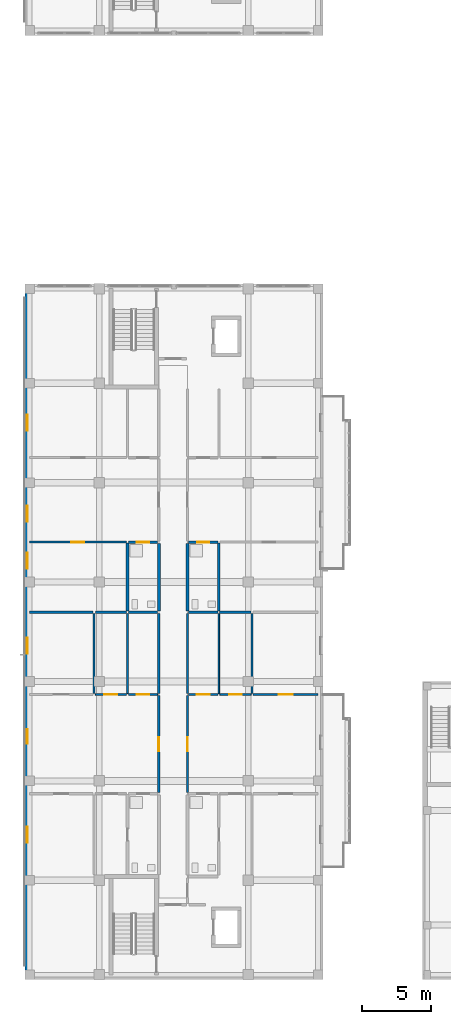
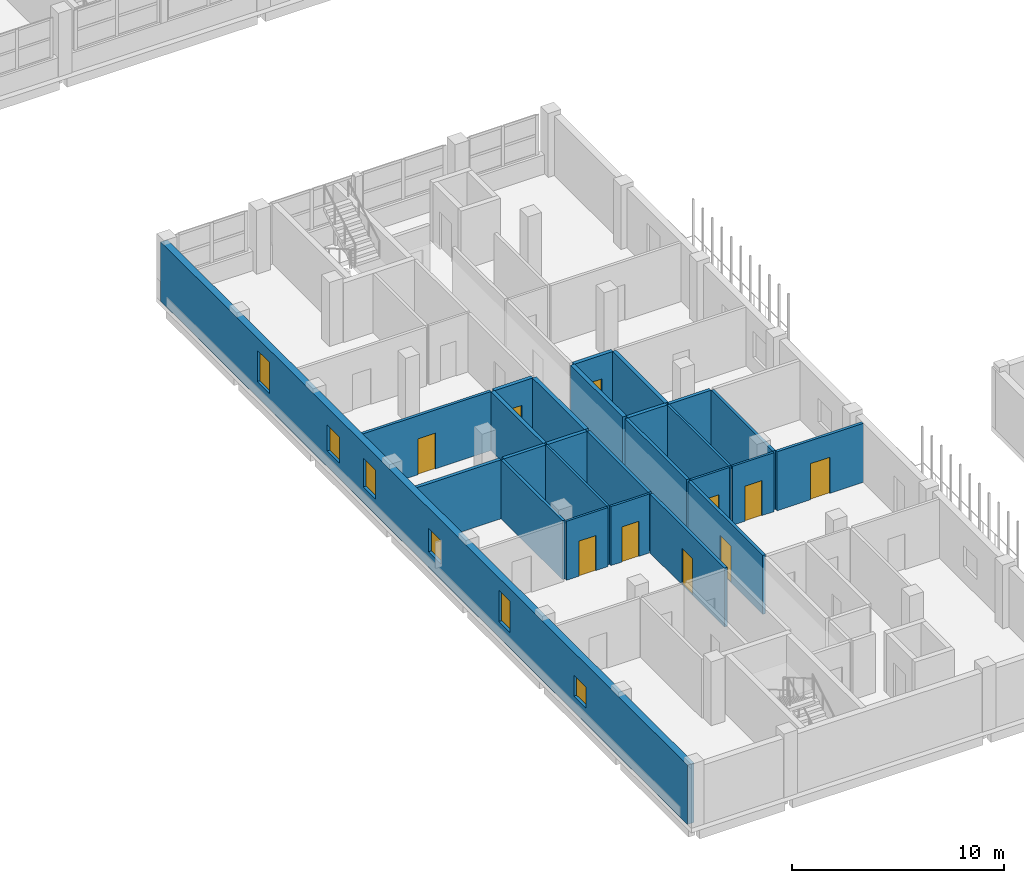
# One storey, part 35 of 73: 26 walls, 10 doors, 6 windows, 16 openings.
"""IFC4 building model written with IfcOpenShell, lengths in metres."""

from ifc_helpers import new_model, si_unit, derived_unit, direction, frame, frame_2d, origin, place, context, subcontext, project, spatial, rectangle, extrude, material, layer, layer_set, type_object, element, fill, save


model = new_model("IFC4")

# Units and contexts
model_context = context("Model", 3, precision=1e-05, world=origin(), true_north=direction((0.0, 1.0)))
body_context = subcontext(model_context, "Body", "Model", "MODEL_VIEW")
ifc_project = project(units=[si_unit("LENGTHUNIT", "METRE"), si_unit("AREAUNIT", "SQUARE_METRE"), si_unit("VOLUMEUNIT", "CUBIC_METRE"), si_unit("PLANEANGLEUNIT", "RADIAN"), si_unit("MASSUNIT", "GRAM", prefix="KILO"), derived_unit("THERMALTRANSMITTANCEUNIT", [(si_unit("MASSUNIT", "GRAM", prefix="KILO"), 1), (si_unit("TIMEUNIT", "SECOND"), -3), (si_unit("THERMODYNAMICTEMPERATUREUNIT", "KELVIN"), -1)])], contexts=[model_context])

# Site, building, storey
site_placement = place(None, origin())
site = spatial("IfcSite", under=ifc_project, at=site_placement, CompositionType="ELEMENT")
building_placement = place(site_placement, origin())
building = spatial("IfcBuilding", under=site, at=building_placement, Name="Ochrekiln Boulevard Commons", CompositionType="ELEMENT")
storey_placement = place(building_placement, frame((0.0, 0.0, 4.89990234375)))
storey = spatial("IfcBuildingStorey", under=building, at=storey_placement, Name="L01", CompositionType="ELEMENT", Elevation=4.89990234375)

# Wall, openings, windows
ifc_material_1 = material(Name="Iron-spot brown clinker brick masonry ASTM C216 Grade SW", Category="masonry")
ifc_layer_1 = layer(ifc_material_1, 0.364990234375)
ifc_layer_set_1 = layer_set([ifc_layer_1], Name="Iron-spot brown clinker brick masonry ASTM C216 Grade SW")
wall_type_1 = type_object("IfcWallType", Name="WL-EXT-IRON-365", PredefinedType="SOLIDWALL", material=ifc_layer_set_1)
wall_1_placement = place(storey_placement, frame((0.1826171875, 0.364990234375, 0.0), z_axis=(0.0, 0.0, 1.0), x_axis=(0.0, 1.0, 0.0)))
wall_1 = element("IfcWall", 1, at=wall_1_placement, inside=storey, type_object=wall_type_1, Name="Block D L01 W Exterior Wall", PredefinedType="SOLIDWALL", context=body_context, shape_type="SweptSolid", body=[
    extrude(rectangle(XDim=49.669921875, YDim=0.364990234375, at=frame_2d((24.8349609375, 0.0))), origin(), (0.0, 0.0, 1.0), 3.4150390625),
])
opening_1_placement = place(wall_1_placement, frame((16.73193359375, 0.0, 0.89990234375)))
opening_1 = element("IfcOpeningElement", 2, at=opening_1_placement, cuts=wall_1, Name="Opening W-10", PredefinedType="OPENING", context=body_context, shape_type="SweptSolid", body=[
    extrude(rectangle(XDim=1.050048828125, YDim=1.800048828125, at=frame_2d((0.52490234375, 0.89990234375))), frame((0.0, 0.1923828125, 0.0), z_axis=(0.0, -1.0, 0.0), x_axis=(1.0, 0.0, 0.0)), (0.0, 0.0, 1.0), 0.385009765625),
])
opening_2_placement = place(wall_1_placement, frame((9.552978515625, 0.0, 0.89990234375)))
opening_2 = element("IfcOpeningElement", 3, at=opening_2_placement, cuts=wall_1, Name="Opening W-11", PredefinedType="OPENING", context=body_context, shape_type="SweptSolid", body=[
    extrude(rectangle(XDim=1.14990234375, YDim=1.199951171875, at=frame_2d((0.574951171875, 0.60009765625))), frame((0.0, 0.1923828125, 0.0), z_axis=(0.0, -1.0, 0.0), x_axis=(1.0, 0.0, 0.0)), (0.0, 0.0, 1.0), 0.385009765625),
])
opening_3_placement = place(wall_1_placement, frame((23.25390625, 0.0, 0.89990234375)))
opening_3 = element("IfcOpeningElement", 4, at=opening_3_placement, cuts=wall_1, Name="Opening W-12", PredefinedType="OPENING", context=body_context, shape_type="SweptSolid", body=[
    extrude(rectangle(XDim=1.14990234375, YDim=1.35009765625, at=frame_2d((0.574951171875, 0.675048828125))), frame((0.0, 0.1923828125, 0.0), z_axis=(0.0, -1.0, 0.0), x_axis=(1.0, 0.0, 0.0)), (0.0, 0.0, 1.0), 0.385009765625),
])
opening_4_placement = place(wall_1_placement, frame((32.81005859375, 0.0, 0.89990234375)))
opening_4 = element("IfcOpeningElement", 5, at=opening_4_placement, cuts=wall_1, Name="Opening W-13", PredefinedType="OPENING", context=body_context, shape_type="SweptSolid", body=[
    extrude(rectangle(XDim=1.14990234375, YDim=1.5, at=frame_2d((0.574951171875, 0.75))), frame((0.0, 0.1923828125, 0.0), z_axis=(0.0, -1.0, 0.0), x_axis=(1.0, 0.0, 0.0)), (0.0, 0.0, 1.0), 0.385009765625),
])
opening_5_placement = place(wall_1_placement, frame((29.39990234375, 0.0, 0.89990234375)))
opening_5 = element("IfcOpeningElement", 6, at=opening_5_placement, cuts=wall_1, Name="Opening W-14", PredefinedType="OPENING", context=body_context, shape_type="SweptSolid", body=[
    extrude(rectangle(XDim=1.14990234375, YDim=1.64990234375, at=frame_2d((0.574951171875, 0.824951171875))), frame((0.0, 0.1923828125, 0.0), z_axis=(0.0, -1.0, 0.0), x_axis=(1.0, 0.0, 0.0)), (0.0, 0.0, 1.0), 0.385009765625),
])
opening_6_placement = place(wall_1_placement, frame((39.404052734375, 0.0, 0.89990234375)))
opening_6 = element("IfcOpeningElement", 7, at=opening_6_placement, cuts=wall_1, Name="Opening W-15", PredefinedType="OPENING", context=body_context, shape_type="SweptSolid", body=[
    extrude(rectangle(XDim=1.14990234375, YDim=1.800048828125, at=frame_2d((0.574951171875, 0.89990234375))), frame((0.0, 0.1923828125, 0.0), z_axis=(0.0, -1.0, 0.0), x_axis=(1.0, 0.0, 0.0)), (0.0, 0.0, 1.0), 0.385009765625),
])
ifc_material_2 = material(Name="Thermally broken aluminium-clad oak frame", Category="aluminium")
window_type_1 = type_object("IfcWindowType", Name="WIN-EXT-10", PartitioningType="SINGLE_PANEL", PredefinedType="WINDOW", material=ifc_material_2)
window_1_placement = place(opening_1_placement, origin())
window_1 = element("IfcWindow", 8, at=window_1_placement, inside=storey, type_object=window_type_1, Name="Block D L01 Punched Masonry Window W-10", OverallHeight=1.800048828125, OverallWidth=1.050048828125, PartitioningType="SINGLE_PANEL", PredefinedType="WINDOW", context=body_context, shape_type="SweptSolid", body=[
    extrude(rectangle(XDim=1.050048828125, YDim=1.800048828125, at=frame_2d((0.52490234375, 0.89990234375))), frame((0.0, 0.030029296875, 0.0), z_axis=(0.0, -1.0, 0.0), x_axis=(1.0, 0.0, 0.0)), (0.0, 0.0, 1.0), 0.06005859375),
])
fill(opening_1, window_1)
window_type_2 = type_object("IfcWindowType", Name="WIN-EXT-11", PartitioningType="SINGLE_PANEL", PredefinedType="WINDOW", material=ifc_material_2)
window_2_placement = place(opening_2_placement, origin())
window_2 = element("IfcWindow", 9, at=window_2_placement, inside=storey, type_object=window_type_2, Name="Block D L01 Punched Masonry Window W-11", OverallHeight=1.199951171875, OverallWidth=1.14990234375, PartitioningType="SINGLE_PANEL", PredefinedType="WINDOW", context=body_context, shape_type="SweptSolid", body=[
    extrude(rectangle(XDim=1.14990234375, YDim=1.199951171875, at=frame_2d((0.574951171875, 0.60009765625))), frame((0.0, 0.030029296875, 0.0), z_axis=(0.0, -1.0, 0.0), x_axis=(1.0, 0.0, 0.0)), (0.0, 0.0, 1.0), 0.06005859375),
])
fill(opening_2, window_2)
window_type_3 = type_object("IfcWindowType", Name="WIN-EXT-12", PartitioningType="SINGLE_PANEL", PredefinedType="WINDOW", material=ifc_material_2)
window_3_placement = place(opening_3_placement, origin())
window_3 = element("IfcWindow", 10, at=window_3_placement, inside=storey, type_object=window_type_3, Name="Block D L01 Punched Masonry Window W-12", OverallHeight=1.35009765625, OverallWidth=1.14990234375, PartitioningType="SINGLE_PANEL", PredefinedType="WINDOW", context=body_context, shape_type="SweptSolid", body=[
    extrude(rectangle(XDim=1.14990234375, YDim=1.35009765625, at=frame_2d((0.574951171875, 0.675048828125))), frame((0.0, 0.030029296875, 0.0), z_axis=(0.0, -1.0, 0.0), x_axis=(1.0, 0.0, 0.0)), (0.0, 0.0, 1.0), 0.06005859375),
])
fill(opening_3, window_3)
window_type_4 = type_object("IfcWindowType", Name="WIN-EXT-13", PartitioningType="SINGLE_PANEL", PredefinedType="WINDOW", material=ifc_material_2)
window_4_placement = place(opening_4_placement, origin())
window_4 = element("IfcWindow", 11, at=window_4_placement, inside=storey, type_object=window_type_4, Name="Block D L01 Punched Masonry Window W-13", OverallHeight=1.5, OverallWidth=1.14990234375, PartitioningType="SINGLE_PANEL", PredefinedType="WINDOW", context=body_context, shape_type="SweptSolid", body=[
    extrude(rectangle(XDim=1.14990234375, YDim=1.5, at=frame_2d((0.574951171875, 0.75))), frame((0.0, 0.030029296875, 0.0), z_axis=(0.0, -1.0, 0.0), x_axis=(1.0, 0.0, 0.0)), (0.0, 0.0, 1.0), 0.06005859375),
])
fill(opening_4, window_4)
window_type_5 = type_object("IfcWindowType", Name="WIN-EXT-14", PartitioningType="SINGLE_PANEL", PredefinedType="WINDOW", material=ifc_material_2)
window_5_placement = place(opening_5_placement, origin())
window_5 = element("IfcWindow", 12, at=window_5_placement, inside=storey, type_object=window_type_5, Name="Block D L01 Punched Masonry Window W-14", OverallHeight=1.64990234375, OverallWidth=1.14990234375, PartitioningType="SINGLE_PANEL", PredefinedType="WINDOW", context=body_context, shape_type="SweptSolid", body=[
    extrude(rectangle(XDim=1.14990234375, YDim=1.64990234375, at=frame_2d((0.574951171875, 0.824951171875))), frame((0.0, 0.030029296875, 0.0), z_axis=(0.0, -1.0, 0.0), x_axis=(1.0, 0.0, 0.0)), (0.0, 0.0, 1.0), 0.06005859375),
])
fill(opening_5, window_5)
window_type_6 = type_object("IfcWindowType", Name="WIN-EXT-15", PartitioningType="SINGLE_PANEL", PredefinedType="WINDOW", material=ifc_material_2)
window_6_placement = place(opening_6_placement, origin())
window_6 = element("IfcWindow", 13, at=window_6_placement, inside=storey, type_object=window_type_6, Name="Block D L01 Punched Masonry Window W-15", OverallHeight=1.800048828125, OverallWidth=1.14990234375, PartitioningType="SINGLE_PANEL", PredefinedType="WINDOW", context=body_context, shape_type="SweptSolid", body=[
    extrude(rectangle(XDim=1.14990234375, YDim=1.800048828125, at=frame_2d((0.574951171875, 0.89990234375))), frame((0.0, 0.030029296875, 0.0), z_axis=(0.0, -1.0, 0.0), x_axis=(1.0, 0.0, 0.0)), (0.0, 0.0, 1.0), 0.06005859375),
])
fill(opening_6, window_6)

# Wall
ifc_material_3 = material(Name="Moisture-resistant cementitious tile backer wall")
ifc_layer_2 = layer(ifc_material_3, 0.199951171875)
ifc_layer_set_2 = layer_set([ifc_layer_2], Name="Moisture-resistant cementitious tile backer wall")
wall_type_2 = type_object("IfcWallType", Name="WL-PLM-200", PredefinedType="PLUMBINGWALL", material=ifc_layer_set_2)
wall_2_placement = place(storey_placement, frame((7.5, 26.60791015625, 0.0), z_axis=(0.0, 0.0, 1.0), x_axis=(1.0, 0.0, 0.0)))
element("IfcWall", 14, at=wall_2_placement, inside=storey, type_object=wall_type_2, Name="L01 Interior Wall W-PW200", PredefinedType="PLUMBINGWALL", context=body_context, shape_type="SweptSolid", body=[
    extrude(rectangle(XDim=2.1279296875, YDim=0.199951171875, at=frame_2d((1.06396484375, 0.0))), origin(), (0.0, 0.0, 1.0), 3.39501953125),
])

# Wall, opening, door
wall_3_placement = place(storey_placement, frame((7.52001953125, 31.68994140625, 0.0), z_axis=(0.0, 0.0, 1.0), x_axis=(1.0, 0.0, 0.0)))
wall_3 = element("IfcWall", 15, at=wall_3_placement, inside=storey, type_object=wall_type_2, Name="L01 Interior Wall W-PW200", PredefinedType="PLUMBINGWALL", context=body_context, shape_type="SweptSolid", body=[
    extrude(rectangle(XDim=2.10791015625, YDim=0.199951171875, at=frame_2d((1.053955078125, 0.0))), origin(), (0.0, 0.0, 1.0), 3.39501953125),
])
opening_7_placement = place(wall_3_placement, frame((0.60498046875, 0.0, 0.0)))
opening_7 = element("IfcOpeningElement", 16, at=opening_7_placement, cuts=wall_3, Name="Opening D-L01-255", PredefinedType="OPENING", context=body_context, shape_type="SweptSolid", body=[
    extrude(rectangle(XDim=0.889892578125, YDim=2.030029296875, at=frame_2d((0.44482421875, 1.01513671875))), frame((0.0, 0.10986328125, 0.0), z_axis=(0.0, -1.0, 0.0), x_axis=(1.0, 0.0, 0.0)), (0.0, 0.0, 1.0), 0.219970703125),
])
ifc_material_4 = material(Name="Solid core architectural oak door leaf")
door_type_1 = type_object("IfcDoorType", Name="DR-INT-BTH-089", OperationType="NOTDEFINED", PredefinedType="DOOR", material=ifc_material_4)
door_1_placement = place(opening_7_placement, frame((0.889892578125, 0.0, 0.0), z_axis=(0.0, 0.0, 1.0), x_axis=(-1.0, 0.0, 0.0)))
door_1 = element("IfcDoor", 17, at=door_1_placement, inside=storey, type_object=door_type_1, Name="L01 Interior Door to Apartment Bathroom", OperationType="SINGLE_SWING_LEFT", OverallHeight=2.030029296875, OverallWidth=0.889892578125, PredefinedType="DOOR", context=body_context, shape_type="SweptSolid", body=[
    extrude(rectangle(XDim=0.889892578125, YDim=2.030029296875, at=frame_2d((0.44482421875, 1.01513671875))), frame((0.0, 0.02490234375, 0.0), z_axis=(0.0, -1.0, 0.0), x_axis=(1.0, 0.0, 0.0)), (0.0, 0.0, 1.0), 0.050048828125),
])
fill(opening_7, door_1)

# Walls
wall_4_placement = place(storey_placement, frame((7.43994140625, 26.697998046875, 0.0), z_axis=(0.0, 0.0, 1.0), x_axis=(0.0, 1.0, 0.0)))
element("IfcWall", 18, at=wall_4_placement, inside=storey, type_object=wall_type_2, Name="L01 Interior Wall W-PW200", PredefinedType="PLUMBINGWALL", context=body_context, shape_type="SweptSolid", body=[
    extrude(rectangle(XDim=4.9169921875, YDim=0.199951171875, at=frame_2d((2.45849609375, 0.0))), origin(), (0.0, 0.0, 1.0), 3.39501953125),
])
wall_5_placement = place(storey_placement, frame((11.8720703125, 26.60791015625, 0.0), z_axis=(0.0, 0.0, 1.0), x_axis=(1.0, 0.0, 0.0)))
element("IfcWall", 19, at=wall_5_placement, inside=storey, type_object=wall_type_2, Name="L01 Interior Wall W-PW200", PredefinedType="PLUMBINGWALL", context=body_context, shape_type="SweptSolid", body=[
    extrude(rectangle(XDim=2.1279296875, YDim=0.199951171875, at=frame_2d((1.06396484375, 0.0))), origin(), (0.0, 0.0, 1.0), 3.39501953125),
])

# Wall, opening, door
wall_6_placement = place(storey_placement, frame((11.8720703125, 31.68994140625, 0.0), z_axis=(0.0, 0.0, 1.0), x_axis=(1.0, 0.0, 0.0)))
wall_6 = element("IfcWall", 20, at=wall_6_placement, inside=storey, type_object=wall_type_2, Name="L01 Interior Wall W-PW200", PredefinedType="PLUMBINGWALL", context=body_context, shape_type="SweptSolid", body=[
    extrude(rectangle(XDim=2.10791015625, YDim=0.199951171875, at=frame_2d((1.053955078125, 0.0))), origin(), (0.0, 0.0, 1.0), 3.39501953125),
])
opening_8_placement = place(wall_6_placement, frame((0.613037109375, 0.0, 0.0)))
opening_8 = element("IfcOpeningElement", 21, at=opening_8_placement, cuts=wall_6, Name="Opening D-L01-266", PredefinedType="OPENING", context=body_context, shape_type="SweptSolid", body=[
    extrude(rectangle(XDim=0.889892578125, YDim=2.030029296875, at=frame_2d((0.44482421875, 1.01513671875))), frame((0.0, 0.10986328125, 0.0), z_axis=(0.0, -1.0, 0.0), x_axis=(1.0, 0.0, 0.0)), (0.0, 0.0, 1.0), 0.219970703125),
])
door_2_placement = place(opening_8_placement, frame((0.889892578125, 0.0, 0.0), z_axis=(0.0, 0.0, 1.0), x_axis=(-1.0, 0.0, 0.0)))
door_2 = element("IfcDoor", 22, at=door_2_placement, inside=storey, type_object=door_type_1, Name="L01 Interior Door to Apartment Bathroom", OperationType="SINGLE_SWING_RIGHT", OverallHeight=2.030029296875, OverallWidth=0.889892578125, PredefinedType="DOOR", context=body_context, shape_type="SweptSolid", body=[
    extrude(rectangle(XDim=0.889892578125, YDim=2.030029296875, at=frame_2d((0.44482421875, 1.01513671875))), frame((0.0, 0.02490234375, 0.0), z_axis=(0.0, -1.0, 0.0), x_axis=(1.0, 0.0, 0.0)), (0.0, 0.0, 1.0), 0.050048828125),
])
fill(opening_8, door_2)

# Walls
wall_7_placement = place(storey_placement, frame((14.06005859375, 26.697998046875, 0.0), z_axis=(0.0, 0.0, 1.0), x_axis=(0.0, 1.0, 0.0)))
element("IfcWall", 23, at=wall_7_placement, inside=storey, type_object=wall_type_2, Name="L01 Interior Wall W-PW200", PredefinedType="PLUMBINGWALL", context=body_context, shape_type="SweptSolid", body=[
    extrude(rectangle(XDim=4.9169921875, YDim=0.199951171875, at=frame_2d((2.45849609375, 0.0))), origin(), (0.0, 0.0, 1.0), 3.39501953125),
])
ifc_layer_3 = layer(ifc_material_3, 0.219970703125)
ifc_layer_set_3 = layer_set([ifc_layer_3], Name="Moisture-resistant cementitious tile backer wall")
wall_type_3 = type_object("IfcWallType", Name="WL-PLM-220", PredefinedType="PLUMBINGWALL", material=ifc_layer_set_3)
for number, where, z_axis, x_axis, name in (
    (24, (9.7099609375, 26.697998046875, 0.0), (0.0, 0.0, 1.0), (0.0, 1.0, 0.0), "L01 Interior Wall W-PW220"),
    (25, (11.7900390625, 26.697998046875, 0.0), (0.0, 0.0, 1.0), (0.0, 1.0, 0.0), "L01 Interior Wall W-PW220"),
):
    element("IfcWall", number, at=place(storey_placement, frame(where, z_axis=z_axis, x_axis=x_axis)), inside=storey, type_object=wall_type_3, Name=name, PredefinedType="PLUMBINGWALL", context=body_context, shape_type="SweptSolid", body=[
        extrude(rectangle(XDim=4.912109375, YDim=0.219970703125, at=frame_2d((2.4560546875, 0.0))), origin(), (0.0, 0.0, 1.0), 3.39501953125),
    ])

# Wall, opening, door
ifc_material_5 = material(Name="Fire-rated Type X gypsum board on steel studs", Category="steel")
ifc_layer_4 = layer(ifc_material_5, 0.1650390625)
ifc_layer_set_4 = layer_set([ifc_layer_4], Name="Fire-rated Type X gypsum board on steel studs")
wall_type_4 = type_object("IfcWallType", Name="WL-PT-CORR-165", PredefinedType="PARTITIONING", material=ifc_layer_set_4)
wall_8_placement = place(storey_placement, frame((9.7099609375, 13.544921875, 0.0), z_axis=(0.0, 0.0, 1.0), x_axis=(0.0, 1.0, 0.0)))
wall_8 = element("IfcWall", 26, at=wall_8_placement, inside=storey, type_object=wall_type_4, Name="L01 Interior Wall W-PC165", PredefinedType="PARTITIONING", context=body_context, shape_type="SweptSolid", body=[
    extrude(rectangle(XDim=7.028076171875, YDim=0.1650390625, at=frame_2d((3.51416015625, 0.0))), origin(), (0.0, 0.0, 1.0), 3.39501953125),
])
opening_9_placement = place(wall_8_placement, frame((3.009033203125, 0.0, 0.0)))
opening_9 = element("IfcOpeningElement", 27, at=opening_9_placement, cuts=wall_8, Name="Opening D-L01-244", PredefinedType="OPENING", context=body_context, shape_type="SweptSolid", body=[
    extrude(rectangle(XDim=1.010009765625, YDim=2.110107421875, at=frame_2d((0.5048828125, 1.05517578125))), frame((0.0, 0.092529296875, 0.0), z_axis=(0.0, -1.0, 0.0), x_axis=(1.0, 0.0, 0.0)), (0.0, 0.0, 1.0), 0.18505859375),
])
door_type_2 = type_object("IfcDoorType", Name="DR-INT-APT-101", OperationType="NOTDEFINED", PredefinedType="DOOR", material=ifc_material_4)
door_3_placement = place(opening_9_placement, origin())
door_3 = element("IfcDoor", 28, at=door_3_placement, inside=storey, type_object=door_type_2, Name="L01 Interior Door to Two-Bedroom Apartment Living Room", OperationType="SINGLE_SWING_RIGHT", OverallHeight=2.110107421875, OverallWidth=1.010009765625, PredefinedType="DOOR", context=body_context, shape_type="SweptSolid", body=[
    extrude(rectangle(XDim=1.010009765625, YDim=2.110107421875, at=frame_2d((0.5048828125, 1.05517578125))), frame((0.0, 0.02490234375, 0.0), z_axis=(0.0, -1.0, 0.0), x_axis=(1.0, 0.0, 0.0)), (0.0, 0.0, 1.0), 0.050048828125),
])
fill(opening_9, door_3)

# Wall
wall_9_placement = place(storey_placement, frame((9.7099609375, 20.73291015625, 0.0), z_axis=(0.0, 0.0, 1.0), x_axis=(0.0, 1.0, 0.0)))
element("IfcWall", 29, at=wall_9_placement, inside=storey, type_object=wall_type_4, Name="L01 Interior Wall W-PC165", PredefinedType="PARTITIONING", context=body_context, shape_type="SweptSolid", body=[
    extrude(rectangle(XDim=5.78515625, YDim=0.1650390625, at=frame_2d((2.892578125, 0.0))), origin(), (0.0, 0.0, 1.0), 3.39501953125),
])

# Wall, opening, door
wall_10_placement = place(storey_placement, frame((11.7900390625, 13.544921875, 0.0), z_axis=(0.0, 0.0, 1.0), x_axis=(0.0, 1.0, 0.0)))
wall_10 = element("IfcWall", 30, at=wall_10_placement, inside=storey, type_object=wall_type_4, Name="L01 Interior Wall W-PC165", PredefinedType="PARTITIONING", context=body_context, shape_type="SweptSolid", body=[
    extrude(rectangle(XDim=7.028076171875, YDim=0.1650390625, at=frame_2d((3.51416015625, 0.0))), origin(), (0.0, 0.0, 1.0), 3.39501953125),
])
opening_10_placement = place(wall_10_placement, frame((3.009033203125, 0.0, 0.0)))
opening_10 = element("IfcOpeningElement", 31, at=opening_10_placement, cuts=wall_10, Name="Opening D-L01-246", PredefinedType="OPENING", context=body_context, shape_type="SweptSolid", body=[
    extrude(rectangle(XDim=1.010009765625, YDim=2.110107421875, at=frame_2d((0.5048828125, 1.05517578125))), frame((0.0, 0.092529296875, 0.0), z_axis=(0.0, -1.0, 0.0), x_axis=(1.0, 0.0, 0.0)), (0.0, 0.0, 1.0), 0.18505859375),
])
door_4_placement = place(opening_10_placement, frame((1.010009765625, 0.0, 0.0), z_axis=(0.0, 0.0, 1.0), x_axis=(-1.0, 0.0, 0.0)))
door_4 = element("IfcDoor", 32, at=door_4_placement, inside=storey, type_object=door_type_2, Name="L01 Interior Door to Two-Bedroom Apartment Living Room", OperationType="SINGLE_SWING_RIGHT", OverallHeight=2.110107421875, OverallWidth=1.010009765625, PredefinedType="DOOR", context=body_context, shape_type="SweptSolid", body=[
    extrude(rectangle(XDim=1.010009765625, YDim=2.110107421875, at=frame_2d((0.5048828125, 1.05517578125))), frame((0.0, 0.02490234375, 0.0), z_axis=(0.0, -1.0, 0.0), x_axis=(1.0, 0.0, 0.0)), (0.0, 0.0, 1.0), 0.050048828125),
])
fill(opening_10, door_4)

# Walls
wall_11_placement = place(storey_placement, frame((11.7900390625, 20.73291015625, 0.0), z_axis=(0.0, 0.0, 1.0), x_axis=(0.0, 1.0, 0.0)))
element("IfcWall", 33, at=wall_11_placement, inside=storey, type_object=wall_type_4, Name="L01 Interior Wall W-PC165", PredefinedType="PARTITIONING", context=body_context, shape_type="SweptSolid", body=[
    extrude(rectangle(XDim=5.78515625, YDim=0.1650390625, at=frame_2d((2.892578125, 0.0))), origin(), (0.0, 0.0, 1.0), 3.39501953125),
])
ifc_layer_5 = layer(ifc_material_5, 0.179931640625)
ifc_layer_set_5 = layer_set([ifc_layer_5], Name="Fire-rated Type X gypsum board on steel studs")
wall_type_5 = type_object("IfcWallType", Name="WL-PT-DEM-180", PredefinedType="PARTITIONING", material=ifc_layer_set_5)
wall_12_placement = place(storey_placement, frame((0.35009765625, 26.60791015625, 0.0), z_axis=(0.0, 0.0, 1.0), x_axis=(1.0, 0.0, 0.0)))
element("IfcWall", 34, at=wall_12_placement, inside=storey, type_object=wall_type_5, Name="L01 Interior Wall W-PD180", PredefinedType="PARTITIONING", context=body_context, shape_type="SweptSolid", body=[
    extrude(rectangle(XDim=4.599853515625, YDim=0.179931640625, at=frame_2d((2.2998046875, 0.0))), origin(), (0.0, 0.0, 1.0), 3.39501953125),
])
for number, where, z_axis, x_axis, name in (
    (35, (5.110107421875, 26.60791015625, 0.0), (0.0, 0.0, 1.0), (1.0, 0.0, 0.0), "L01 Interior Wall W-PD180"),
    (36, (14.1201171875, 26.60791015625, 0.0), (0.0, 0.0, 1.0), (1.0, 0.0, 0.0), "L01 Interior Wall W-PD180"),
):
    element("IfcWall", number, at=place(storey_placement, frame(where, z_axis=z_axis, x_axis=x_axis)), inside=storey, type_object=wall_type_5, Name=name, PredefinedType="PARTITIONING", context=body_context, shape_type="SweptSolid", body=[
        extrude(rectangle(XDim=2.269775390625, YDim=0.179931640625, at=frame_2d((1.134765625, 0.0))), origin(), (0.0, 0.0, 1.0), 3.39501953125),
    ])

# Wall, opening, door
ifc_layer_6 = layer(ifc_material_5, 0.1201171875)
ifc_layer_set_6 = layer_set([ifc_layer_6], Name="Fire-rated Type X gypsum board on steel studs")
wall_type_6 = type_object("IfcWallType", Name="WL-PT-LGT-120", PredefinedType="PARTITIONING", material=ifc_layer_set_6)
wall_13_placement = place(storey_placement, frame((7.52001953125, 20.653076171875, 0.0), z_axis=(0.0, 0.0, 1.0), x_axis=(1.0, 0.0, 0.0)))
wall_13 = element("IfcWall", 37, at=wall_13_placement, inside=storey, type_object=wall_type_6, Name="L01 Interior Wall W-PL120", PredefinedType="PARTITIONING", context=body_context, shape_type="SweptSolid", body=[
    extrude(rectangle(XDim=2.10791015625, YDim=0.1201171875, at=frame_2d((1.053955078125, 0.0))), origin(), (0.0, 0.0, 1.0), 3.39501953125),
])
opening_11_placement = place(wall_13_placement, frame((0.590087890625, 0.0, 0.0)))
opening_11 = element("IfcOpeningElement", 38, at=opening_11_placement, cuts=wall_13, Name="Opening D-L01-249", PredefinedType="OPENING", context=body_context, shape_type="SweptSolid", body=[
    extrude(rectangle(XDim=0.919921875, YDim=2.02001953125, at=frame_2d((0.4599609375, 1.010009765625))), frame((0.0, 0.070068359375, 0.0), z_axis=(0.0, -1.0, 0.0), x_axis=(1.0, 0.0, 0.0)), (0.0, 0.0, 1.0), 0.14013671875),
])
door_type_3 = type_object("IfcDoorType", Name="DR-INT-KIT-092", OperationType="NOTDEFINED", PredefinedType="DOOR", material=ifc_material_4)
door_5_placement = place(opening_11_placement, origin())
door_5 = element("IfcDoor", 39, at=door_5_placement, inside=storey, type_object=door_type_3, Name="L01 Interior Door to Apartment Kitchen", OperationType="SINGLE_SWING_LEFT", OverallHeight=2.02001953125, OverallWidth=0.919921875, PredefinedType="DOOR", context=body_context, shape_type="SweptSolid", body=[
    extrude(rectangle(XDim=0.919921875, YDim=2.02001953125, at=frame_2d((0.4599609375, 1.010009765625))), frame((0.0, 0.02490234375, 0.0), z_axis=(0.0, -1.0, 0.0), x_axis=(1.0, 0.0, 0.0)), (0.0, 0.0, 1.0), 0.050048828125),
])
fill(opening_11, door_5)

wall_14_placement = place(storey_placement, frame((5.110107421875, 20.653076171875, 0.0), z_axis=(0.0, 0.0, 1.0), x_axis=(1.0, 0.0, 0.0)))
wall_14 = element("IfcWall", 40, at=wall_14_placement, inside=storey, type_object=wall_type_6, Name="L01 Interior Wall W-PL120", PredefinedType="PARTITIONING", context=body_context, shape_type="SweptSolid", body=[
    extrude(rectangle(XDim=2.25, YDim=0.1201171875, at=frame_2d((1.125, 0.0))), origin(), (0.0, 0.0, 1.0), 3.39501953125),
])
opening_12_placement = place(wall_14_placement, frame((0.6650390625, 0.0, 0.0)))
opening_12 = element("IfcOpeningElement", 41, at=opening_12_placement, cuts=wall_14, Name="Opening D-L01-253", PredefinedType="OPENING", context=body_context, shape_type="SweptSolid", body=[
    extrude(rectangle(XDim=0.919921875, YDim=2.02001953125, at=frame_2d((0.4599609375, 1.010009765625))), frame((0.0, 0.070068359375, 0.0), z_axis=(0.0, -1.0, 0.0), x_axis=(1.0, 0.0, 0.0)), (0.0, 0.0, 1.0), 0.14013671875),
])
door_6_placement = place(opening_12_placement, origin())
door_6 = element("IfcDoor", 42, at=door_6_placement, inside=storey, type_object=door_type_3, Name="L01 Interior Door to Apartment Walk-In Wardrobe", OperationType="SINGLE_SWING_LEFT", OverallHeight=2.02001953125, OverallWidth=0.919921875, PredefinedType="DOOR", context=body_context, shape_type="SweptSolid", body=[
    extrude(rectangle(XDim=0.919921875, YDim=2.02001953125, at=frame_2d((0.4599609375, 1.010009765625))), frame((0.0, 0.02490234375, 0.0), z_axis=(0.0, -1.0, 0.0), x_axis=(1.0, 0.0, 0.0)), (0.0, 0.0, 1.0), 0.050048828125),
])
fill(opening_12, door_6)

# Wall
wall_15_placement = place(storey_placement, frame((7.43994140625, 20.712890625, 0.0), z_axis=(0.0, 0.0, 1.0), x_axis=(0.0, 1.0, 0.0)))
element("IfcWall", 43, at=wall_15_placement, inside=storey, type_object=wall_type_6, Name="L01 Interior Wall W-PL120", PredefinedType="PARTITIONING", context=body_context, shape_type="SweptSolid", body=[
    extrude(rectangle(XDim=5.80517578125, YDim=0.1201171875, at=frame_2d((2.902587890625, 0.0))), origin(), (0.0, 0.0, 1.0), 3.39501953125),
])

# Wall, opening, door
wall_16_placement = place(storey_placement, frame((11.8720703125, 20.653076171875, 0.0), z_axis=(0.0, 0.0, 1.0), x_axis=(1.0, 0.0, 0.0)))
wall_16 = element("IfcWall", 44, at=wall_16_placement, inside=storey, type_object=wall_type_6, Name="L01 Interior Wall W-PL120", PredefinedType="PARTITIONING", context=body_context, shape_type="SweptSolid", body=[
    extrude(rectangle(XDim=2.10791015625, YDim=0.1201171875, at=frame_2d((1.053955078125, 0.0))), origin(), (0.0, 0.0, 1.0), 3.39501953125),
])
opening_13_placement = place(wall_16_placement, frame((0.597900390625, 0.0, 0.0)))
opening_13 = element("IfcOpeningElement", 45, at=opening_13_placement, cuts=wall_16, Name="Opening D-L01-260", PredefinedType="OPENING", context=body_context, shape_type="SweptSolid", body=[
    extrude(rectangle(XDim=0.919921875, YDim=2.02001953125, at=frame_2d((0.4599609375, 1.010009765625))), frame((0.0, 0.070068359375, 0.0), z_axis=(0.0, -1.0, 0.0), x_axis=(1.0, 0.0, 0.0)), (0.0, 0.0, 1.0), 0.14013671875),
])
door_7_placement = place(opening_13_placement, origin())
door_7 = element("IfcDoor", 46, at=door_7_placement, inside=storey, type_object=door_type_3, Name="L01 Interior Door to Apartment Kitchen", OperationType="SINGLE_SWING_RIGHT", OverallHeight=2.02001953125, OverallWidth=0.919921875, PredefinedType="DOOR", context=body_context, shape_type="SweptSolid", body=[
    extrude(rectangle(XDim=0.919921875, YDim=2.02001953125, at=frame_2d((0.4599609375, 1.010009765625))), frame((0.0, 0.02490234375, 0.0), z_axis=(0.0, -1.0, 0.0), x_axis=(1.0, 0.0, 0.0)), (0.0, 0.0, 1.0), 0.050048828125),
])
fill(opening_13, door_7)

wall_17_placement = place(storey_placement, frame((14.139892578125, 20.653076171875, 0.0), z_axis=(0.0, 0.0, 1.0), x_axis=(1.0, 0.0, 0.0)))
wall_17 = element("IfcWall", 47, at=wall_17_placement, inside=storey, type_object=wall_type_6, Name="L01 Interior Wall W-PL120", PredefinedType="PARTITIONING", context=body_context, shape_type="SweptSolid", body=[
    extrude(rectangle(XDim=2.25, YDim=0.1201171875, at=frame_2d((1.125, 0.0))), origin(), (0.0, 0.0, 1.0), 3.39501953125),
])
opening_14_placement = place(wall_17_placement, frame((0.6650390625, 0.0, 0.0)))
opening_14 = element("IfcOpeningElement", 48, at=opening_14_placement, cuts=wall_17, Name="Opening D-L01-264", PredefinedType="OPENING", context=body_context, shape_type="SweptSolid", body=[
    extrude(rectangle(XDim=0.919921875, YDim=2.02001953125, at=frame_2d((0.4599609375, 1.010009765625))), frame((0.0, 0.070068359375, 0.0), z_axis=(0.0, -1.0, 0.0), x_axis=(1.0, 0.0, 0.0)), (0.0, 0.0, 1.0), 0.14013671875),
])
door_8_placement = place(opening_14_placement, origin())
door_8 = element("IfcDoor", 49, at=door_8_placement, inside=storey, type_object=door_type_3, Name="L01 Interior Door to Apartment Walk-In Wardrobe", OperationType="SINGLE_SWING_RIGHT", OverallHeight=2.02001953125, OverallWidth=0.919921875, PredefinedType="DOOR", context=body_context, shape_type="SweptSolid", body=[
    extrude(rectangle(XDim=0.919921875, YDim=2.02001953125, at=frame_2d((0.4599609375, 1.010009765625))), frame((0.0, 0.02490234375, 0.0), z_axis=(0.0, -1.0, 0.0), x_axis=(1.0, 0.0, 0.0)), (0.0, 0.0, 1.0), 0.050048828125),
])
fill(opening_14, door_8)

# Walls
wall_18_placement = place(storey_placement, frame((14.06005859375, 20.712890625, 0.0), z_axis=(0.0, 0.0, 1.0), x_axis=(0.0, 1.0, 0.0)))
element("IfcWall", 50, at=wall_18_placement, inside=storey, type_object=wall_type_6, Name="L01 Interior Wall W-PL120", PredefinedType="PARTITIONING", context=body_context, shape_type="SweptSolid", body=[
    extrude(rectangle(XDim=5.80517578125, YDim=0.1201171875, at=frame_2d((2.902587890625, 0.0))), origin(), (0.0, 0.0, 1.0), 3.39501953125),
])
ifc_layer_7 = layer(ifc_material_5, 0.14990234375)
ifc_layer_set_7 = layer_set([ifc_layer_7], Name="Fire-rated Type X gypsum board on steel studs")
wall_type_7 = type_object("IfcWallType", Name="WL-PT-STD-150", PredefinedType="PARTITIONING", material=ifc_layer_set_7)
wall_19_placement = place(storey_placement, frame((5.030029296875, 20.72802734375, 0.0), z_axis=(0.0, 0.0, 1.0), x_axis=(0.0, 1.0, 0.0)))
element("IfcWall", 51, at=wall_19_placement, inside=storey, type_object=wall_type_7, Name="L01 Interior Wall W-PS150", PredefinedType="PARTITIONING", context=body_context, shape_type="SweptSolid", body=[
    extrude(rectangle(XDim=5.7900390625, YDim=0.14990234375, at=frame_2d((2.89501953125, 0.0))), origin(), (0.0, 0.0, 1.0), 3.39501953125),
])

# Wall, opening, door
wall_20_placement = place(storey_placement, frame((0.35009765625, 31.68994140625, 0.0), z_axis=(0.0, 0.0, 1.0), x_axis=(1.0, 0.0, 0.0)))
wall_20 = element("IfcWall", 52, at=wall_20_placement, inside=storey, type_object=wall_type_7, Name="L01 Interior Wall W-PS150", PredefinedType="PARTITIONING", context=body_context, shape_type="SweptSolid", body=[
    extrude(rectangle(XDim=7.010009765625, YDim=0.14990234375, at=frame_2d((3.5048828125, 0.0))), origin(), (0.0, 0.0, 1.0), 3.39501953125),
])
opening_15_placement = place(wall_20_placement, frame((3.034912109375, 0.0, 0.0)))
opening_15 = element("IfcOpeningElement", 53, at=opening_15_placement, cuts=wall_20, Name="Opening D-L01-257", PredefinedType="OPENING", context=body_context, shape_type="SweptSolid", body=[
    extrude(rectangle(XDim=0.93994140625, YDim=2.06005859375, at=frame_2d((0.469970703125, 1.030029296875))), frame((0.0, 0.0849609375, 0.0), z_axis=(0.0, -1.0, 0.0), x_axis=(1.0, 0.0, 0.0)), (0.0, 0.0, 1.0), 0.169921875),
])
door_type_4 = type_object("IfcDoorType", Name="DR-INT-BED-094", OperationType="NOTDEFINED", PredefinedType="DOOR", material=ifc_material_4)
door_9_placement = place(opening_15_placement, frame((0.93994140625, 0.0, 0.0), z_axis=(0.0, 0.0, 1.0), x_axis=(-1.0, 0.0, 0.0)))
door_9 = element("IfcDoor", 54, at=door_9_placement, inside=storey, type_object=door_type_4, Name="L01 Interior Door to Primary Apartment Bedroom", OperationType="SINGLE_SWING_LEFT", OverallHeight=2.06005859375, OverallWidth=0.93994140625, PredefinedType="DOOR", context=body_context, shape_type="SweptSolid", body=[
    extrude(rectangle(XDim=0.93994140625, YDim=2.06005859375, at=frame_2d((0.469970703125, 1.030029296875))), frame((0.0, 0.02490234375, 0.0), z_axis=(0.0, -1.0, 0.0), x_axis=(1.0, 0.0, 0.0)), (0.0, 0.0, 1.0), 0.050048828125),
])
fill(opening_15, door_9)

wall_21_placement = place(storey_placement, frame((16.550048828125, 20.653076171875, 0.0), z_axis=(0.0, 0.0, 1.0), x_axis=(1.0, 0.0, 0.0)))
wall_21 = element("IfcWall", 55, at=wall_21_placement, inside=storey, type_object=wall_type_7, Name="L01 Interior Wall W-PS150", PredefinedType="PARTITIONING", context=body_context, shape_type="SweptSolid", body=[
    extrude(rectangle(XDim=4.699951171875, YDim=0.14990234375, at=frame_2d((2.35009765625, 0.0))), origin(), (0.0, 0.0, 1.0), 3.39501953125),
])
opening_16_placement = place(wall_21_placement, frame((1.830078125, 0.0, 0.0)))
opening_16 = element("IfcOpeningElement", 56, at=opening_16_placement, cuts=wall_21, Name="Opening D-L01-263", PredefinedType="OPENING", context=body_context, shape_type="SweptSolid", body=[
    extrude(rectangle(XDim=1.0400390625, YDim=2.080078125, at=frame_2d((0.52001953125, 1.0400390625))), frame((0.0, 0.0849609375, 0.0), z_axis=(0.0, -1.0, 0.0), x_axis=(1.0, 0.0, 0.0)), (0.0, 0.0, 1.0), 0.169921875),
])
door_type_5 = type_object("IfcDoorType", Name="DR-INT-BED-104", OperationType="NOTDEFINED", PredefinedType="DOOR", material=ifc_material_4)
door_10_placement = place(opening_16_placement, origin())
door_10 = element("IfcDoor", 57, at=door_10_placement, inside=storey, type_object=door_type_5, Name="L01 Interior Door to Secondary Apartment Bedroom", OperationType="SINGLE_SWING_LEFT", OverallHeight=2.080078125, OverallWidth=1.0400390625, PredefinedType="DOOR", context=body_context, shape_type="SweptSolid", body=[
    extrude(rectangle(XDim=1.0400390625, YDim=2.080078125, at=frame_2d((0.52001953125, 1.0400390625))), frame((0.0, 0.02490234375, 0.0), z_axis=(0.0, -1.0, 0.0), x_axis=(1.0, 0.0, 0.0)), (0.0, 0.0, 1.0), 0.050048828125),
])
fill(opening_16, door_10)

# Wall
wall_22_placement = place(storey_placement, frame((16.469970703125, 20.72802734375, 0.0), z_axis=(0.0, 0.0, 1.0), x_axis=(0.0, 1.0, 0.0)))
element("IfcWall", 58, at=wall_22_placement, inside=storey, type_object=wall_type_7, Name="L01 Interior Wall W-PS150", PredefinedType="PARTITIONING", context=body_context, shape_type="SweptSolid", body=[
    extrude(rectangle(XDim=5.7900390625, YDim=0.14990234375, at=frame_2d((2.89501953125, 0.0))), origin(), (0.0, 0.0, 1.0), 3.39501953125),
])

save(model, "model.ifc")
